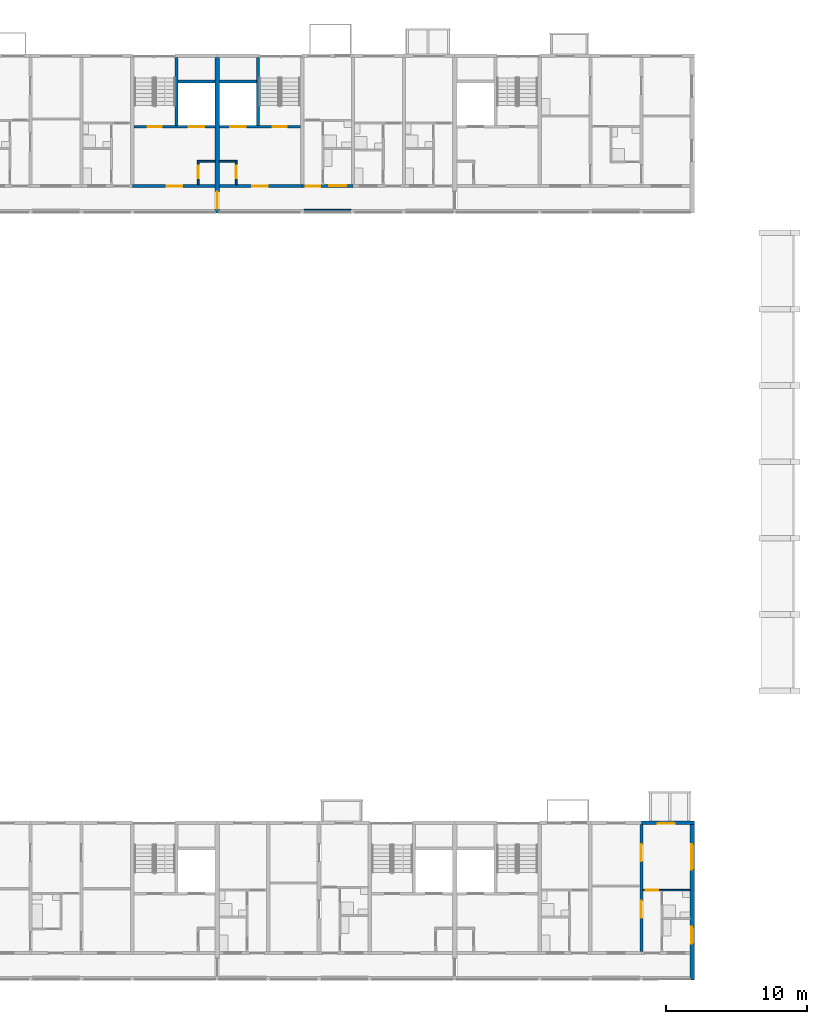
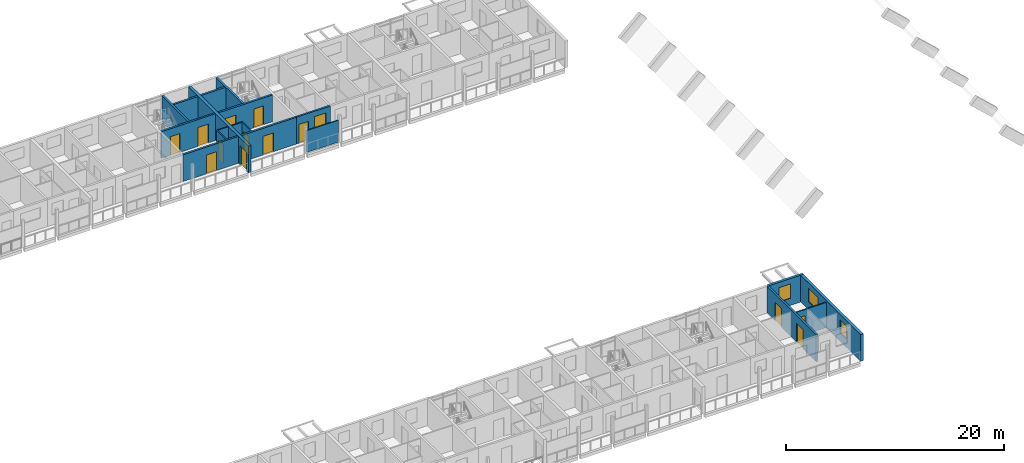
# One storey, part 41 of 98: 19 walls, 13 doors, 4 windows, 17 openings.
"""IFC4 building model written with IfcOpenShell, lengths in metres."""

import ifcopenshell
import ifcopenshell.guid

model = None  # the IFC model being written
_history = None  # IfcOwnerHistory: only IFC2X3 demands one
_inside = {}  # id of a spatial element -> (the spatial element, [elements in it])
_under = {}  # id of a project, library or spatial element -> (it, [spatial elements below it])
_declared = {}  # id of a project -> (the project, [libraries it declares])
_typed = {}  # id of a type object -> (the type object, [elements of that type])
_made_of = {}  # id of a material, layer set ... -> (it, [elements and type objects made of it])


def new_model(schema):
    """Start an empty IFC model of exactly this schema.

    Asked for "IFC4X3", IfcOpenShell would pick the latest addendum, in which some entities
    have other attributes; the version numbers below select the first issue.
    IFC2X3 requires an IfcOwnerHistory on every rooted entity: one is made here for all.
    """
    global model, _history
    if schema == "IFC4X3":
        model = ifcopenshell.file(schema_version=(4, 3, 0, 0))
    else:
        model = ifcopenshell.file(schema=schema)
    _inside.clear()
    _under.clear()
    _declared.clear()
    _typed.clear()
    _made_of.clear()
    _history = None
    if model.schema == "IFC2X3":
        org = make("IfcOrganization", Name="unknown")
        user = make(
            "IfcPersonAndOrganization",
            ThePerson=make("IfcPerson", FamilyName="unknown"),
            TheOrganization=org,
        )
        app = make(
            "IfcApplication",
            ApplicationDeveloper=org,
            Version="unknown",
            ApplicationFullName="unknown",
            ApplicationIdentifier="unknown",
        )
        _history = make(
            "IfcOwnerHistory",
            OwningUser=user,
            OwningApplication=app,
            ChangeAction="ADDED",
            CreationDate=0,
        )
    return model


def make(cls, **values):
    """One entity of the class cls with the attributes given. An attribute that is None is left unset."""
    return model.create_entity(
        cls, **{name: value for name, value in values.items() if value is not None}
    )


def rooted(cls, **values):
    """An entity with a GlobalId (a new one), such as an element, a storey or a relation."""
    return make(cls, GlobalId=ifcopenshell.guid.new(), OwnerHistory=_history, **values)


def si_unit(unit_type, name, prefix=None):
    """IfcSIUnit, for example si_unit("LENGTHUNIT", "METRE", prefix="MILLI")."""
    return make("IfcSIUnit", UnitType=unit_type, Prefix=prefix, Name=name)


def assignment(units):
    """IfcUnitAssignment: the units of a project."""
    return None if units is None else make("IfcUnitAssignment", Units=units)


def point(xyz):
    """IfcCartesianPoint."""
    return None if xyz is None else make("IfcCartesianPoint", Coordinates=xyz)


def direction(xyz):
    """IfcDirection."""
    return None if xyz is None else make("IfcDirection", DirectionRatios=xyz)


def frame(location, z_axis=None, x_axis=None):
    """IfcAxis2Placement3D, a coordinate frame: its origin and axes. An axis left out is left unset."""
    return make(
        "IfcAxis2Placement3D",
        Location=point(location),
        Axis=direction(z_axis),
        RefDirection=direction(x_axis),
    )


def frame_2d(location, x_axis=None):
    """IfcAxis2Placement2D, a coordinate frame in the plane: its origin and x axis."""
    return make(
        "IfcAxis2Placement2D", Location=point(location), RefDirection=direction(x_axis)
    )


def origin():
    """The frame at (0, 0, 0) with its axes left unset."""
    return frame((0.0, 0.0, 0.0))


def place(relative_to, where):
    """IfcLocalPlacement: puts the frame where relative to a parent placement (None: the world)."""
    return make(
        "IfcLocalPlacement", PlacementRelTo=relative_to, RelativePlacement=where
    )


def context(
    kind, dimensions, precision=None, world=None, true_north=None, identifier=None
):
    """IfcGeometricRepresentationContext, for example the 3D "Model" context."""
    return make(
        "IfcGeometricRepresentationContext",
        ContextIdentifier=identifier,
        ContextType=kind,
        CoordinateSpaceDimension=dimensions,
        Precision=precision,
        WorldCoordinateSystem=world,
        TrueNorth=true_north,
    )


def subcontext(parent, identifier, kind, view, scale=None):
    """IfcGeometricRepresentationSubContext, for example "Body" below "Model"."""
    return make(
        "IfcGeometricRepresentationSubContext",
        ContextIdentifier=identifier,
        ContextType=kind,
        ParentContext=parent,
        TargetScale=scale,
        TargetView=view,
    )


def project(units=None, contexts=None):
    """IfcProject with its units and contexts."""
    return rooted(
        "IfcProject",
        Name="project",
        RepresentationContexts=contexts,
        UnitsInContext=assignment(units),
    )


def spatial(cls, under=None, at=None, **own):
    """A site, building, storey or space (cls), placed at a placement, below another one or the project."""
    s = rooted(cls, ObjectPlacement=at, **own)
    if under is not None:
        _under.setdefault(under.id(), (under, []))[1].append(s)
    return s


def profile(cls, at=None, kind="AREA", **sizes):
    """A parametric profile (cls). Its sizes go by their IFC names, for example OverallWidth=200.0."""
    return make(cls, ProfileType=kind, Position=at, **sizes)


def rectangle(**sizes):
    """IfcRectangleProfileDef."""
    return profile("IfcRectangleProfileDef", **sizes)


def extrude(swept, where, along, depth):
    """IfcExtrudedAreaSolid: the profile swept, set in the frame where, extruded along a direction by depth."""
    return make(
        "IfcExtrudedAreaSolid",
        SweptArea=swept,
        Position=where,
        ExtrudedDirection=direction(along),
        Depth=depth,
    )


def shape(context_of_items, identifier, shape_type, items):
    """IfcShapeRepresentation: the items that make up one representation, for example the "Body"."""
    return make(
        "IfcShapeRepresentation",
        ContextOfItems=context_of_items,
        RepresentationIdentifier=identifier,
        RepresentationType=shape_type,
        Items=items,
    )


def material(Name=None, Category=None):
    """IfcMaterial."""
    return make("IfcMaterial", Name=Name, Category=Category)


def layer(
    of_material, thickness, ventilated=None, Name=None, Category=None, Priority=None
):
    """IfcMaterialLayer: one layer of a wall or slab, of a material (None: an air gap)."""
    return make(
        "IfcMaterialLayer",
        Material=of_material,
        LayerThickness=thickness,
        IsVentilated=ventilated,
        Name=Name,
        Category=Category,
        Priority=Priority,
    )


def layer_set(layers, Name=None):
    """IfcMaterialLayerSet."""
    return make("IfcMaterialLayerSet", MaterialLayers=layers, LayerSetName=Name)


def made_of(thing, what):
    """Note that an element or type object is made of a material, layer set ...; save() writes the relation."""
    if what is not None:
        _made_of.setdefault(what.id(), (what, []))[1].append(thing)
    return thing


def type_object(cls, material=None, **own):
    """A type object (cls), such as IfcWallType, which elements share."""
    return made_of(rooted(cls, **own), material)


def element(
    cls,
    number,
    at=None,
    inside=None,
    cuts=None,
    type_object=None,
    material=None,
    context=None,
    identifier="Body",
    shape_type=None,
    held_by="IfcProductDefinitionShape",
    body=None,
    shapes=None,
    **own,
):
    """One element of the class cls, such as IfcWall. Its Tag is "e" and its number.

    at: its placement. inside: the storey or other place that contains it. cuts: it is an
    opening in that element (IfcRelVoidsElement). A single representation is given by context,
    identifier, shape_type and body (its items); several are given by shapes. held_by: the class
    of the entity that holds the representations. save() writes the other relations.
    """
    e = rooted(cls, Tag="e%d" % number, ObjectPlacement=at, **own)
    if body is not None:
        shapes = [shape(context, identifier, shape_type, body)]
    if shapes is not None:
        e.Representation = make(held_by, Representations=shapes)
    if inside is not None:
        _inside.setdefault(inside.id(), (inside, []))[1].append(e)
    if cuts is not None:
        rooted(
            "IfcRelVoidsElement", RelatingBuildingElement=cuts, RelatedOpeningElement=e
        )
    if type_object is not None:
        _typed.setdefault(type_object.id(), (type_object, []))[1].append(e)
    return made_of(e, material)


def fill(opening, filler):
    """IfcRelFillsElement: the door or window that sits in an opening."""
    return rooted(
        "IfcRelFillsElement",
        RelatingOpeningElement=opening,
        RelatedBuildingElement=filler,
    )


def aggregate(whole, parts):
    """IfcRelAggregates: a whole, such as a stair, and the parts it consists of."""
    return rooted("IfcRelAggregates", RelatingObject=whole, RelatedObjects=parts)


def save(model, path):
    """Write the relations noted so far, then the file.

    IfcRelAggregates (storeys below a building ...), IfcRelContainedInSpatialStructure (elements
    in a storey), IfcRelDefinesByType, IfcRelAssociatesMaterial and IfcRelDeclares: one each for
    every whole, place, type object, material and project.
    """
    for whole, parts in _under.values():
        aggregate(whole, parts)
    for where, things in _inside.values():
        rooted(
            "IfcRelContainedInSpatialStructure",
            RelatedElements=things,
            RelatingStructure=where,
        )
    for kind, things in _typed.values():
        rooted("IfcRelDefinesByType", RelatedObjects=things, RelatingType=kind)
    for what, things in _made_of.values():
        rooted("IfcRelAssociatesMaterial", RelatedObjects=things, RelatingMaterial=what)
    for by, libraries in _declared.values():
        rooted("IfcRelDeclares", RelatingContext=by, RelatedDefinitions=libraries)
    model.write(path)


model = new_model("IFC4")

# Units and contexts
model_context = context("Model", 3, precision=1e-05, world=origin(), true_north=direction((0.0, 1.0)))
body_context = subcontext(model_context, "Body", "Model", "MODEL_VIEW")
ifc_project = project(units=[si_unit("LENGTHUNIT", "METRE"), si_unit("AREAUNIT", "SQUARE_METRE"), si_unit("VOLUMEUNIT", "CUBIC_METRE"), si_unit("PLANEANGLEUNIT", "RADIAN"), si_unit("MASSUNIT", "GRAM", prefix="KILO")], contexts=[model_context])

# Site, building, storey
site_placement = place(None, origin())
site = spatial("IfcSite", under=ifc_project, at=site_placement, CompositionType="ELEMENT")
building_placement = place(site_placement, origin())
building = spatial("IfcBuilding", under=site, at=building_placement, Name="Ridgestep Commons", CompositionType="ELEMENT")
storey_placement = place(building_placement, frame((0.0, 0.0, 12.0)))
storey = spatial("IfcBuildingStorey", under=building, at=storey_placement, Name="L04", CompositionType="ELEMENT", Elevation=12.0)

# Wall, opening, door
ifc_material_1 = material(Name="Concrete C30/37", Category="concrete")
ifc_layer_1 = layer(ifc_material_1, 0.199951171875)
ifc_layer_set_1 = layer_set([ifc_layer_1], Name="Core south wall 200")
wall_type_1 = type_object("IfcWallType", Name="Core south wall 200", PredefinedType="SHEAR", material=ifc_layer_set_1)
wall_1_placement = place(storey_placement, frame((73.199951171875, 67.89990234375, 0.0), z_axis=(0.0, 0.0, 1.0), x_axis=(1.0, 0.0, 0.0)))
wall_1 = element("IfcWall", 1, at=wall_1_placement, inside=storey, type_object=wall_type_1, Name="Core south wall B4C L04", PredefinedType="SHEAR", context=body_context, shape_type="SweptSolid", body=[
    extrude(rectangle(XDim=5.85009765625, YDim=0.199951171875, at=frame_2d((2.925048828125, 0.0))), origin(), (0.0, 0.0, 1.0), 3.0),
])
opening_1_placement = place(wall_1_placement, frame((2.4375, 0.0, 0.0)))
opening_1 = element("IfcOpeningElement", 2, at=opening_1_placement, cuts=wall_1, Name="Opening B4C/04/1", PredefinedType="OPENING", context=body_context, shape_type="SweptSolid", body=[
    extrude(rectangle(XDim=1.10009765625, YDim=2.10009765625, at=frame_2d((0.550048828125, 1.050048828125))), frame((0.0, 0.10986328125, 0.0), z_axis=(0.0, -1.0, 0.0), x_axis=(1.0, 0.0, 0.0)), (0.0, 0.0, 1.0), 0.219970703125),
])
ifc_material_2 = material(Name="Steel fire door", Category="steel")
door_type_1 = type_object("IfcDoorType", Name="Lobby door 1100 x 2100 FD60", OperationType="NOTDEFINED", PredefinedType="DOOR", material=ifc_material_2)
door_1_placement = place(opening_1_placement, origin())
door_1 = element("IfcDoor", 3, at=door_1_placement, inside=storey, type_object=door_type_1, Name="Lobby door B4C/04/1", OperationType="SINGLE_SWING_LEFT", OverallHeight=2.10009765625, OverallWidth=1.10009765625, PredefinedType="DOOR", context=body_context, shape_type="SweptSolid", body=[
    extrude(rectangle(XDim=1.10009765625, YDim=2.10009765625, at=frame_2d((0.550048828125, 1.050048828125))), frame((0.0, 0.02490234375, 0.0), z_axis=(0.0, -1.0, 0.0), x_axis=(1.0, 0.0, 0.0)), (0.0, 0.0, 1.0), 0.050048828125),
])
fill(opening_1, door_1)

wall_2_placement = place(storey_placement, frame((79.35009765625, 67.89990234375, 0.0), z_axis=(0.0, 0.0, 1.0), x_axis=(1.0, 0.0, 0.0)))
wall_2 = element("IfcWall", 4, at=wall_2_placement, inside=storey, type_object=wall_type_1, Name="Core south wall B5C L04", PredefinedType="SHEAR", context=body_context, shape_type="SweptSolid", body=[
    extrude(rectangle(XDim=5.849853515625, YDim=0.199951171875, at=frame_2d((2.9248046875, 0.0))), origin(), (0.0, 0.0, 1.0), 3.0),
])
opening_2_placement = place(wall_2_placement, frame((2.3125, 0.0, 0.0)))
opening_2 = element("IfcOpeningElement", 5, at=opening_2_placement, cuts=wall_2, Name="Opening B5C/04/1", PredefinedType="OPENING", context=body_context, shape_type="SweptSolid", body=[
    extrude(rectangle(XDim=1.10009765625, YDim=2.10009765625, at=frame_2d((0.550048828125, 1.050048828125))), frame((0.0, 0.10986328125, 0.0), z_axis=(0.0, -1.0, 0.0), x_axis=(1.0, 0.0, 0.0)), (0.0, 0.0, 1.0), 0.219970703125),
])
door_2_placement = place(opening_2_placement, origin())
door_2 = element("IfcDoor", 6, at=door_2_placement, inside=storey, type_object=door_type_1, Name="Lobby door B5C/04/1", OperationType="SINGLE_SWING_LEFT", OverallHeight=2.10009765625, OverallWidth=1.10009765625, PredefinedType="DOOR", context=body_context, shape_type="SweptSolid", body=[
    extrude(rectangle(XDim=1.10009765625, YDim=2.10009765625, at=frame_2d((0.550048828125, 1.050048828125))), frame((0.0, 0.02490234375, 0.0), z_axis=(0.0, -1.0, 0.0), x_axis=(1.0, 0.0, 0.0)), (0.0, 0.0, 1.0), 0.050048828125),
])
fill(opening_2, door_2)

ifc_material_3 = material(Name="Concrete C30/37", Category="concrete")
ifc_layer_2 = layer(ifc_material_3, 0.1201171875)
ifc_layer_set_2 = layer_set([ifc_layer_2], Name="Core wall 120")
wall_type_2 = type_object("IfcWallType", Name="Core wall 120", PredefinedType="SHEAR", material=ifc_layer_set_2)
wall_3_placement = place(storey_placement, frame((77.860107421875, 68.0, 0.0), z_axis=(0.0, 0.0, 1.0), x_axis=(0.0, 1.0, 0.0)))
wall_3 = element("IfcWall", 7, at=wall_3_placement, inside=storey, type_object=wall_type_2, Name="Core riser w wall B4C L04", PredefinedType="SHEAR", context=body_context, shape_type="SweptSolid", body=[
    extrude(rectangle(XDim=1.719970703125, YDim=0.1201171875, at=frame_2d((0.85986328125, 0.0))), origin(), (0.0, 0.0, 1.0), 3.0),
])
opening_3_placement = place(wall_3_placement, frame((0.449951171875, 0.0, 0.0)))
opening_3 = element("IfcOpeningElement", 8, at=opening_3_placement, cuts=wall_3, Name="Opening B4C/04/4", PredefinedType="OPENING", context=body_context, shape_type="SweptSolid", body=[
    extrude(rectangle(XDim=0.89990234375, YDim=2.10009765625, at=frame_2d((0.449951171875, 1.050048828125))), frame((0.0, 0.070068359375, 0.0), z_axis=(0.0, -1.0, 0.0), x_axis=(1.0, 0.0, 0.0)), (0.0, 0.0, 1.0), 0.14013671875),
])
ifc_material_4 = material(Name="Steel fire door", Category="steel")
door_type_2 = type_object("IfcDoorType", Name="Riser door 900 x 2100 FD60", OperationType="NOTDEFINED", PredefinedType="DOOR", material=ifc_material_4)
door_3_placement = place(opening_3_placement, origin())
door_3 = element("IfcDoor", 9, at=door_3_placement, inside=storey, type_object=door_type_2, Name="Riser door B4C/04/4", OperationType="SINGLE_SWING_LEFT", OverallHeight=2.10009765625, OverallWidth=0.89990234375, PredefinedType="DOOR", context=body_context, shape_type="SweptSolid", body=[
    extrude(rectangle(XDim=0.89990234375, YDim=2.10009765625, at=frame_2d((0.449951171875, 1.050048828125))), frame((0.0, 0.02490234375, 0.0), z_axis=(0.0, -1.0, 0.0), x_axis=(1.0, 0.0, 0.0)), (0.0, 0.0, 1.0), 0.050048828125),
])
fill(opening_3, door_3)

# Wall
wall_4_placement = place(storey_placement, frame((77.919921875, 69.659912109375, 0.0), z_axis=(0.0, 0.0, 1.0), x_axis=(1.0, 0.0, 0.0)))
element("IfcWall", 10, at=wall_4_placement, inside=storey, type_object=wall_type_2, Name="Core riser n wall B4C L04", PredefinedType="SHEAR", context=body_context, shape_type="SweptSolid", body=[
    extrude(rectangle(XDim=1.130126953125, YDim=0.1201171875, at=frame_2d((0.56494140625, 0.0))), origin(), (0.0, 0.0, 1.0), 3.0),
])

# Wall, opening, door
wall_5_placement = place(storey_placement, frame((80.5400390625, 68.0, 0.0), z_axis=(0.0, 0.0, 1.0), x_axis=(0.0, 1.0, 0.0)))
wall_5 = element("IfcWall", 11, at=wall_5_placement, inside=storey, type_object=wall_type_2, Name="Core riser w wall B5C L04", PredefinedType="SHEAR", context=body_context, shape_type="SweptSolid", body=[
    extrude(rectangle(XDim=1.719970703125, YDim=0.1201171875, at=frame_2d((0.85986328125, 0.0))), origin(), (0.0, 0.0, 1.0), 3.0),
])
opening_4_placement = place(wall_5_placement, frame((0.449951171875, 0.0, 0.0)))
opening_4 = element("IfcOpeningElement", 12, at=opening_4_placement, cuts=wall_5, Name="Opening B5C/04/4", PredefinedType="OPENING", context=body_context, shape_type="SweptSolid", body=[
    extrude(rectangle(XDim=0.89990234375, YDim=2.10009765625, at=frame_2d((0.449951171875, 1.050048828125))), frame((0.0, 0.070068359375, 0.0), z_axis=(0.0, -1.0, 0.0), x_axis=(1.0, 0.0, 0.0)), (0.0, 0.0, 1.0), 0.14013671875),
])
door_4_placement = place(opening_4_placement, origin())
door_4 = element("IfcDoor", 13, at=door_4_placement, inside=storey, type_object=door_type_2, Name="Riser door B5C/04/4", OperationType="SINGLE_SWING_RIGHT", OverallHeight=2.10009765625, OverallWidth=0.89990234375, PredefinedType="DOOR", context=body_context, shape_type="SweptSolid", body=[
    extrude(rectangle(XDim=0.89990234375, YDim=2.10009765625, at=frame_2d((0.449951171875, 1.050048828125))), frame((0.0, 0.02490234375, 0.0), z_axis=(0.0, -1.0, 0.0), x_axis=(1.0, 0.0, 0.0)), (0.0, 0.0, 1.0), 0.050048828125),
])
fill(opening_4, door_4)

# Wall
wall_6_placement = place(storey_placement, frame((79.35009765625, 69.659912109375, 0.0), z_axis=(0.0, 0.0, 1.0), x_axis=(1.0, 0.0, 0.0)))
element("IfcWall", 14, at=wall_6_placement, inside=storey, type_object=wall_type_2, Name="Core riser n wall B5C L04", PredefinedType="SHEAR", context=body_context, shape_type="SweptSolid", body=[
    extrude(rectangle(XDim=1.1298828125, YDim=0.1201171875, at=frame_2d((0.56494140625, 0.0))), origin(), (0.0, 0.0, 1.0), 3.0),
])

# Wall, openings, doors
ifc_material_5 = material(Name="Concrete C30/37", Category="concrete")
ifc_layer_3 = layer(ifc_material_5, 0.199951171875)
ifc_layer_set_3 = layer_set([ifc_layer_3], Name="Core wall 200")
wall_type_3 = type_object("IfcWallType", Name="Core wall 200", PredefinedType="SHEAR", material=ifc_layer_set_3)
wall_7_placement = place(storey_placement, frame((73.324951171875, 72.10009765625, 0.0), z_axis=(0.0, 0.0, 1.0), x_axis=(1.0, 0.0, 0.0)))
wall_7 = element("IfcWall", 15, at=wall_7_placement, inside=storey, type_object=wall_type_3, Name="Core lobby wall B4C L04", PredefinedType="SHEAR", context=body_context, shape_type="SweptSolid", body=[
    extrude(rectangle(XDim=5.72509765625, YDim=0.199951171875, at=frame_2d((2.862548828125, 0.0))), origin(), (0.0, 0.0, 1.0), 3.0),
])
opening_5_placement = place(wall_7_placement, frame((0.949951171875, 0.0, 0.0)))
opening_5 = element("IfcOpeningElement", 16, at=opening_5_placement, cuts=wall_7, Name="Opening B4C/04/2", PredefinedType="OPENING", context=body_context, shape_type="SweptSolid", body=[
    extrude(rectangle(XDim=1.0, YDim=2.10009765625, at=frame_2d((0.5, 1.050048828125))), frame((0.0, 0.10986328125, 0.0), z_axis=(0.0, -1.0, 0.0), x_axis=(1.0, 0.0, 0.0)), (0.0, 0.0, 1.0), 0.219970703125),
])
opening_6_placement = place(wall_7_placement, frame((3.862548828125, 0.0, 0.0)))
opening_6 = element("IfcOpeningElement", 17, at=opening_6_placement, cuts=wall_7, Name="Opening B4C/04/3", PredefinedType="OPENING", context=body_context, shape_type="SweptSolid", body=[
    extrude(rectangle(XDim=1.10009765625, YDim=2.10009765625, at=frame_2d((0.550048828125, 1.050048828125))), frame((0.0, 0.10986328125, 0.0), z_axis=(0.0, -1.0, 0.0), x_axis=(1.0, 0.0, 0.0)), (0.0, 0.0, 1.0), 0.219970703125),
])
ifc_material_6 = material(Name="Stainless steel", Category="steel")
door_type_3 = type_object("IfcDoorType", Name="Lift landing door 1100 x 2100 FD60", OperationType="DOUBLE_DOOR_SLIDING", PredefinedType="DOOR", material=ifc_material_6)
door_5_placement = place(opening_6_placement, origin())
door_5 = element("IfcDoor", 18, at=door_5_placement, inside=storey, type_object=door_type_3, Name="Landing door LD B4C L04", OperationType="DOUBLE_DOOR_SLIDING", OverallHeight=2.10009765625, OverallWidth=1.10009765625, PredefinedType="DOOR", context=body_context, shape_type="SweptSolid", body=[
    extrude(rectangle(XDim=1.10009765625, YDim=2.10009765625, at=frame_2d((0.550048828125, 1.050048828125))), frame((0.0, 0.02490234375, 0.0), z_axis=(0.0, -1.0, 0.0), x_axis=(1.0, 0.0, 0.0)), (0.0, 0.0, 1.0), 0.050048828125),
])
fill(opening_6, door_5)
ifc_material_7 = material(Name="Steel fire door", Category="steel")
door_type_4 = type_object("IfcDoorType", Name="Stair door 1000 x 2100 FD60", OperationType="NOTDEFINED", PredefinedType="DOOR", material=ifc_material_7)
door_6_placement = place(opening_5_placement, origin())
door_6 = element("IfcDoor", 19, at=door_6_placement, inside=storey, type_object=door_type_4, Name="Stair door B4C/04/2", OperationType="SINGLE_SWING_RIGHT", OverallHeight=2.10009765625, OverallWidth=1.0, PredefinedType="DOOR", context=body_context, shape_type="SweptSolid", body=[
    extrude(rectangle(XDim=1.0, YDim=2.10009765625, at=frame_2d((0.5, 1.050048828125))), frame((0.0, 0.02490234375, 0.0), z_axis=(0.0, -1.0, 0.0), x_axis=(1.0, 0.0, 0.0)), (0.0, 0.0, 1.0), 0.050048828125),
])
fill(opening_5, door_6)

# Walls
wall_8_placement = place(storey_placement, frame((76.324951171875, 72.199951171875, 0.0), z_axis=(0.0, 0.0, 1.0), x_axis=(0.0, 1.0, 0.0)))
element("IfcWall", 20, at=wall_8_placement, inside=storey, type_object=wall_type_3, Name="Core stair wall B4C L04", PredefinedType="SHEAR", context=body_context, shape_type="SweptSolid", body=[
    extrude(rectangle(XDim=4.800048828125, YDim=0.199951171875, at=frame_2d((2.39990234375, 0.0))), origin(), (0.0, 0.0, 1.0), 3.0),
])
wall_9_placement = place(storey_placement, frame((76.425048828125, 75.300048828125, 0.0), z_axis=(0.0, 0.0, 1.0), x_axis=(1.0, 0.0, 0.0)))
element("IfcWall", 21, at=wall_9_placement, inside=storey, type_object=wall_type_3, Name="Core duct wall B4C L04", PredefinedType="SHEAR", context=body_context, shape_type="SweptSolid", body=[
    extrude(rectangle(XDim=2.625, YDim=0.199951171875, at=frame_2d((1.3125, 0.0))), origin(), (0.0, 0.0, 1.0), 3.0),
])

# Wall, openings, doors
wall_10_placement = place(storey_placement, frame((79.35009765625, 72.10009765625, 0.0), z_axis=(0.0, 0.0, 1.0), x_axis=(1.0, 0.0, 0.0)))
wall_10 = element("IfcWall", 22, at=wall_10_placement, inside=storey, type_object=wall_type_3, Name="Core lobby wall B5C L04", PredefinedType="SHEAR", context=body_context, shape_type="SweptSolid", body=[
    extrude(rectangle(XDim=5.724853515625, YDim=0.199951171875, at=frame_2d((2.8623046875, 0.0))), origin(), (0.0, 0.0, 1.0), 3.0),
])
opening_7_placement = place(wall_10_placement, frame((3.77490234375, 0.0, 0.0)))
opening_7 = element("IfcOpeningElement", 23, at=opening_7_placement, cuts=wall_10, Name="Opening B5C/04/2", PredefinedType="OPENING", context=body_context, shape_type="SweptSolid", body=[
    extrude(rectangle(XDim=1.0, YDim=2.10009765625, at=frame_2d((0.5, 1.050048828125))), frame((0.0, 0.10986328125, 0.0), z_axis=(0.0, -1.0, 0.0), x_axis=(1.0, 0.0, 0.0)), (0.0, 0.0, 1.0), 0.219970703125),
])
opening_8_placement = place(wall_10_placement, frame((0.762451171875, 0.0, 0.0)))
opening_8 = element("IfcOpeningElement", 24, at=opening_8_placement, cuts=wall_10, Name="Opening B5C/04/3", PredefinedType="OPENING", context=body_context, shape_type="SweptSolid", body=[
    extrude(rectangle(XDim=1.10009765625, YDim=2.10009765625, at=frame_2d((0.550048828125, 1.050048828125))), frame((0.0, 0.10986328125, 0.0), z_axis=(0.0, -1.0, 0.0), x_axis=(1.0, 0.0, 0.0)), (0.0, 0.0, 1.0), 0.219970703125),
])
door_7_placement = place(opening_8_placement, origin())
door_7 = element("IfcDoor", 25, at=door_7_placement, inside=storey, type_object=door_type_3, Name="Landing door LD B5C L04", OperationType="DOUBLE_DOOR_SLIDING", OverallHeight=2.10009765625, OverallWidth=1.10009765625, PredefinedType="DOOR", context=body_context, shape_type="SweptSolid", body=[
    extrude(rectangle(XDim=1.10009765625, YDim=2.10009765625, at=frame_2d((0.550048828125, 1.050048828125))), frame((0.0, 0.02490234375, 0.0), z_axis=(0.0, -1.0, 0.0), x_axis=(1.0, 0.0, 0.0)), (0.0, 0.0, 1.0), 0.050048828125),
])
fill(opening_8, door_7)
door_8_placement = place(opening_7_placement, origin())
door_8 = element("IfcDoor", 26, at=door_8_placement, inside=storey, type_object=door_type_4, Name="Stair door B5C/04/2", OperationType="SINGLE_SWING_RIGHT", OverallHeight=2.10009765625, OverallWidth=1.0, PredefinedType="DOOR", context=body_context, shape_type="SweptSolid", body=[
    extrude(rectangle(XDim=1.0, YDim=2.10009765625, at=frame_2d((0.5, 1.050048828125))), frame((0.0, 0.02490234375, 0.0), z_axis=(0.0, -1.0, 0.0), x_axis=(1.0, 0.0, 0.0)), (0.0, 0.0, 1.0), 0.050048828125),
])
fill(opening_7, door_8)

# Walls
wall_11_placement = place(storey_placement, frame((82.074951171875, 72.199951171875, 0.0), z_axis=(0.0, 0.0, 1.0), x_axis=(0.0, 1.0, 0.0)))
element("IfcWall", 27, at=wall_11_placement, inside=storey, type_object=wall_type_3, Name="Core stair wall B5C L04", PredefinedType="SHEAR", context=body_context, shape_type="SweptSolid", body=[
    extrude(rectangle(XDim=4.800048828125, YDim=0.199951171875, at=frame_2d((2.39990234375, 0.0))), origin(), (0.0, 0.0, 1.0), 3.0),
])
wall_12_placement = place(storey_placement, frame((79.35009765625, 75.300048828125, 0.0), z_axis=(0.0, 0.0, 1.0), x_axis=(1.0, 0.0, 0.0)))
element("IfcWall", 28, at=wall_12_placement, inside=storey, type_object=wall_type_3, Name="Core duct wall B5C L04", PredefinedType="SHEAR", context=body_context, shape_type="SweptSolid", body=[
    extrude(rectangle(XDim=2.625, YDim=0.199951171875, at=frame_2d((1.3125, 0.0))), origin(), (0.0, 0.0, 1.0), 3.0),
])

# Wall, openings, doors
ifc_material_8 = material(Name="Precast concrete C40/50", Category="concrete")
ifc_layer_4 = layer(ifc_material_8, 0.199951171875)
ifc_layer_set_4 = layer_set([ifc_layer_4], Name="Cross wall 200")
wall_type_4 = type_object("IfcWallType", Name="Cross wall 200", PredefinedType="SHEAR", material=ifc_layer_set_4)
wall_13_placement = place(storey_placement, frame((109.199951171875, 13.75, 0.0), z_axis=(0.0, 0.0, 1.0), x_axis=(0.0, 1.0, 0.0)))
wall_13 = element("IfcWall", 29, at=wall_13_placement, inside=storey, type_object=wall_type_4, Name="Cross wall A-04-1092", PredefinedType="SHEAR", context=body_context, shape_type="SweptSolid", body=[
    extrude(rectangle(XDim=9.0, YDim=0.199951171875, at=frame_2d((4.5, 0.0))), origin(), (0.0, 0.0, 1.0), 3.0),
])
opening_9_placement = place(wall_13_placement, frame((2.39990234375, 0.0, 0.0)))
opening_9 = element("IfcOpeningElement", 30, at=opening_9_placement, cuts=wall_13, Name="Opening A6-04a/5", PredefinedType="OPENING", context=body_context, shape_type="SweptSolid", body=[
    extrude(rectangle(XDim=1.199951171875, YDim=2.10009765625, at=frame_2d((0.60009765625, 1.050048828125))), frame((0.0, 0.10986328125, 0.0), z_axis=(0.0, -1.0, 0.0), x_axis=(1.0, 0.0, 0.0)), (0.0, 0.0, 1.0), 0.219970703125),
])
opening_10_placement = place(wall_13_placement, frame((6.39990234375, 0.0, 0.0)))
opening_10 = element("IfcOpeningElement", 31, at=opening_10_placement, cuts=wall_13, Name="Opening A6-04a/6", PredefinedType="OPENING", context=body_context, shape_type="SweptSolid", body=[
    extrude(rectangle(XDim=1.199951171875, YDim=2.10009765625, at=frame_2d((0.60009765625, 1.050048828125))), frame((0.0, 0.10986328125, 0.0), z_axis=(0.0, -1.0, 0.0), x_axis=(1.0, 0.0, 0.0)), (0.0, 0.0, 1.0), 0.219970703125),
])
ifc_material_9 = material(Name="Timber door leaf", Category="wood")
door_type_5 = type_object("IfcDoorType", Name="Double door 1200 x 2100", OperationType="DOUBLE_DOOR_SINGLE_SWING", PredefinedType="DOOR", material=ifc_material_9)
door_9_placement = place(opening_9_placement, origin())
door_9 = element("IfcDoor", 32, at=door_9_placement, inside=storey, type_object=door_type_5, Name="Double door A6-04a/5", OperationType="DOUBLE_DOOR_SINGLE_SWING", OverallHeight=2.10009765625, OverallWidth=1.199951171875, PredefinedType="DOOR", context=body_context, shape_type="SweptSolid", body=[
    extrude(rectangle(XDim=1.199951171875, YDim=2.10009765625, at=frame_2d((0.60009765625, 1.050048828125))), frame((0.0, 0.02490234375, 0.0), z_axis=(0.0, -1.0, 0.0), x_axis=(1.0, 0.0, 0.0)), (0.0, 0.0, 1.0), 0.050048828125),
])
fill(opening_9, door_9)
door_10_placement = place(opening_10_placement, origin())
door_10 = element("IfcDoor", 33, at=door_10_placement, inside=storey, type_object=door_type_5, Name="Double door A6-04a/6", OperationType="DOUBLE_DOOR_SINGLE_SWING", OverallHeight=2.10009765625, OverallWidth=1.199951171875, PredefinedType="DOOR", context=body_context, shape_type="SweptSolid", body=[
    extrude(rectangle(XDim=1.199951171875, YDim=2.10009765625, at=frame_2d((0.60009765625, 1.050048828125))), frame((0.0, 0.02490234375, 0.0), z_axis=(0.0, -1.0, 0.0), x_axis=(1.0, 0.0, 0.0)), (0.0, 0.0, 1.0), 0.050048828125),
])
fill(opening_10, door_10)

# Wall, opening, door
ifc_material_10 = material(Name="Precast concrete C40/50", Category="concrete")
ifc_layer_5 = layer(ifc_material_10, 0.300048828125)
ifc_layer_set_5 = layer_set([ifc_layer_5], Name="Division wall 300")
wall_type_5 = type_object("IfcWallType", Name="Division wall 300", PredefinedType="SHEAR", material=ifc_layer_set_5)
wall_14_placement = place(storey_placement, frame((79.199951171875, 66.0, 0.0), z_axis=(0.0, 0.0, 1.0), x_axis=(0.0, 1.0, 0.0)))
wall_14 = element("IfcWall", 34, at=wall_14_placement, inside=storey, type_object=wall_type_5, Name="Cross wall B-04-0792", PredefinedType="SHEAR", context=body_context, shape_type="SweptSolid", body=[
    extrude(rectangle(XDim=11.0, YDim=0.300048828125, at=frame_2d((5.5, 0.0))), origin(), (0.0, 0.0, 1.0), 3.0),
])
opening_11_placement = place(wall_14_placement, frame((0.300048828125, 0.0, 0.0)))
opening_11 = element("IfcOpeningElement", 35, at=opening_11_placement, cuts=wall_14, Name="Opening B/04/G0792", PredefinedType="OPENING", context=body_context, shape_type="SweptSolid", body=[
    extrude(rectangle(XDim=1.199951171875, YDim=2.10009765625, at=frame_2d((0.60009765625, 1.050048828125))), frame((0.0, 0.159912109375, 0.0), z_axis=(0.0, -1.0, 0.0), x_axis=(1.0, 0.0, 0.0)), (0.0, 0.0, 1.0), 0.320068359375),
])
ifc_material_11 = material(Name="Steel fire door", Category="steel")
door_type_6 = type_object("IfcDoorType", Name="Division fire door 1200 x 2100 EI 240", OperationType="DOUBLE_DOOR_SINGLE_SWING", PredefinedType="DOOR", material=ifc_material_11)
door_11_placement = place(opening_11_placement, origin())
door_11 = element("IfcDoor", 36, at=door_11_placement, inside=storey, type_object=door_type_6, Name="Division fire door B/04/G0792", OperationType="DOUBLE_DOOR_SINGLE_SWING", OverallHeight=2.10009765625, OverallWidth=1.199951171875, PredefinedType="DOOR", context=body_context, shape_type="SweptSolid", body=[
    extrude(rectangle(XDim=1.199951171875, YDim=2.10009765625, at=frame_2d((0.60009765625, 1.050048828125))), frame((0.0, 0.02490234375, 0.0), z_axis=(0.0, -1.0, 0.0), x_axis=(1.0, 0.0, 0.0)), (0.0, 0.0, 1.0), 0.050048828125),
])
fill(opening_11, door_11)

# Wall, openings, windows
ifc_material_12 = material(Name="Precast concrete C40/50", Category="concrete")
ifc_layer_6 = layer(ifc_material_12, 0.300048828125)
ifc_layer_set_6 = layer_set([ifc_layer_6], Name="Exposed division wall 300")
wall_type_6 = type_object("IfcWallType", Name="Exposed division wall 300", PredefinedType="SHEAR", material=ifc_layer_set_6)
wall_15_placement = place(storey_placement, frame((112.800048828125, 11.75, 0.0), z_axis=(0.0, 0.0, 1.0), x_axis=(0.0, 1.0, 0.0)))
wall_15 = element("IfcWall", 37, at=wall_15_placement, inside=storey, type_object=wall_type_6, Name="Cross wall A-04-1128", PredefinedType="SHEAR", context=body_context, shape_type="SweptSolid", body=[
    extrude(rectangle(XDim=11.0, YDim=0.300048828125, at=frame_2d((5.5, 0.0))), origin(), (0.0, 0.0, 1.0), 3.0),
])
opening_12_placement = place(wall_15_placement, frame((2.550048828125, 0.0, 0.89990234375)))
opening_12 = element("IfcOpeningElement", 38, at=opening_12_placement, cuts=wall_15, Name="Opening W10", PredefinedType="OPENING", context=body_context, shape_type="SweptSolid", body=[
    extrude(rectangle(XDim=1.199951171875, YDim=1.5, at=frame_2d((0.60009765625, 0.75))), frame((0.0, 0.159912109375, 0.0), z_axis=(0.0, -1.0, 0.0), x_axis=(1.0, 0.0, 0.0)), (0.0, 0.0, 1.0), 0.320068359375),
])
opening_13_placement = place(wall_15_placement, frame((7.804931640625, 0.0, 0.89990234375)))
opening_13 = element("IfcOpeningElement", 39, at=opening_13_placement, cuts=wall_15, Name="Opening W20", PredefinedType="OPENING", context=body_context, shape_type="SweptSolid", body=[
    extrude(rectangle(XDim=1.800048828125, YDim=1.5, at=frame_2d((0.89990234375, 0.75))), frame((0.0, 0.159912109375, 0.0), z_axis=(0.0, -1.0, 0.0), x_axis=(1.0, 0.0, 0.0)), (0.0, 0.0, 1.0), 0.320068359375),
])
ifc_material_13 = material(Name="Aluminium 6063-T6 and glass", Category="aluminium")
window_type_1 = type_object("IfcWindowType", Name="Flat window 1200 x 1500", PartitioningType="SINGLE_PANEL", PredefinedType="WINDOW", material=ifc_material_13)
window_1_placement = place(opening_12_placement, origin())
window_1 = element("IfcWindow", 40, at=window_1_placement, inside=storey, type_object=window_type_1, Name="Window A6-04a 5", OverallHeight=1.5, OverallWidth=1.199951171875, PartitioningType="SINGLE_PANEL", PredefinedType="WINDOW", context=body_context, shape_type="SweptSolid", body=[
    extrude(rectangle(XDim=1.199951171875, YDim=1.5, at=frame_2d((0.60009765625, 0.75))), frame((0.0, 0.06005859375, 0.0), z_axis=(0.0, -1.0, 0.0), x_axis=(1.0, 0.0, 0.0)), (0.0, 0.0, 1.0), 0.06005859375),
])
fill(opening_12, window_1)
ifc_material_14 = material(Name="Aluminium 6063-T6 and glass", Category="aluminium")
window_type_2 = type_object("IfcWindowType", Name="Flat window 1800 x 1500", PartitioningType="DOUBLE_PANEL_VERTICAL", PredefinedType="WINDOW", material=ifc_material_14)
window_2_placement = place(opening_13_placement, origin())
window_2 = element("IfcWindow", 41, at=window_2_placement, inside=storey, type_object=window_type_2, Name="Window A6-04a 6", OverallHeight=1.5, OverallWidth=1.800048828125, PartitioningType="SINGLE_PANEL", PredefinedType="WINDOW", context=body_context, shape_type="SweptSolid", body=[
    extrude(rectangle(XDim=1.800048828125, YDim=1.5, at=frame_2d((0.89990234375, 0.75))), frame((0.0, 0.06005859375, 0.0), z_axis=(0.0, -1.0, 0.0), x_axis=(1.0, 0.0, 0.0)), (0.0, 0.0, 1.0), 0.06005859375),
])
fill(opening_13, window_2)

# Wall, opening, window
ifc_material_15 = material(Name="Precast concrete C40/50", Category="concrete")
ifc_layer_7 = layer(ifc_material_15, 0.25)
ifc_layer_set_7 = layer_set([ifc_layer_7], Name="North facade panel 250")
wall_type_7 = type_object("IfcWallType", Name="North facade panel 250", PredefinedType="SOLIDWALL", material=ifc_layer_set_7)
wall_16_placement = place(storey_placement, frame((109.199951171875, 22.875, 0.0), z_axis=(0.0, 0.0, 1.0), x_axis=(1.0, 0.0, 0.0)))
wall_16 = element("IfcWall", 42, at=wall_16_placement, inside=storey, type_object=wall_type_7, Name="North panel A6T1 L04", PredefinedType="SOLIDWALL", context=body_context, shape_type="SweptSolid", body=[
    extrude(rectangle(XDim=3.75, YDim=0.25, at=frame_2d((1.875, 0.0))), origin(), (0.0, 0.0, 1.0), 3.0),
])
opening_14_placement = place(wall_16_placement, frame((1.175048828125, 0.0, 0.800048828125)))
opening_14 = element("IfcOpeningElement", 43, at=opening_14_placement, cuts=wall_16, Name="Opening W11", PredefinedType="OPENING", context=body_context, shape_type="SweptSolid", body=[
    extrude(rectangle(XDim=1.199951171875, YDim=1.60009765625, at=frame_2d((0.60009765625, 0.800048828125))), frame((0.0, 0.135009765625, 0.0), z_axis=(0.0, -1.0, 0.0), x_axis=(1.0, 0.0, 0.0)), (0.0, 0.0, 1.0), 0.27001953125),
])
ifc_material_16 = material(Name="Aluminium 6063-T6 and glass", Category="aluminium")
window_type_3 = type_object("IfcWindowType", Name="Flat window 1200 x 1600", PartitioningType="SINGLE_PANEL", PredefinedType="WINDOW", material=ifc_material_16)
window_3_placement = place(opening_14_placement, origin())
window_3 = element("IfcWindow", 44, at=window_3_placement, inside=storey, type_object=window_type_3, Name="Window A6-04a 4", OverallHeight=1.60009765625, OverallWidth=1.199951171875, PartitioningType="SINGLE_PANEL", PredefinedType="WINDOW", context=body_context, shape_type="SweptSolid", body=[
    extrude(rectangle(XDim=1.199951171875, YDim=1.60009765625, at=frame_2d((0.60009765625, 0.800048828125))), frame((0.0, -0.02490234375, 0.0), z_axis=(0.0, -1.0, 0.0), x_axis=(1.0, 0.0, 0.0)), (0.0, 0.0, 1.0), 0.06005859375),
])
fill(opening_14, window_3)

# Wall, opening, door
ifc_material_17 = material(Name="Common brick 110 mm", Category="masonry")
ifc_layer_8 = layer(ifc_material_17, 0.110107421875)
ifc_layer_set_8 = layer_set([ifc_layer_8], Name="Partition 110")
wall_type_8 = type_object("IfcWallType", Name="Partition 110", PredefinedType="PARTITIONING", material=ifc_layer_set_8)
wall_17_placement = place(storey_placement, frame((109.300048828125, 18.10498046875, 0.0), z_axis=(0.0, 0.0, 1.0), x_axis=(1.0, 0.0, 0.0)))
wall_17 = element("IfcWall", 45, at=wall_17_placement, inside=storey, type_object=wall_type_8, Name="Partition A6-04a", PredefinedType="PARTITIONING", context=body_context, shape_type="SweptSolid", body=[
    extrude(rectangle(XDim=3.349853515625, YDim=0.110107421875, at=frame_2d((1.6748046875, 0.0))), origin(), (0.0, 0.0, 1.0), 2.800048828125),
])
opening_15_placement = place(wall_17_placement, frame((0.199951171875, 0.0, 0.0)))
opening_15 = element("IfcOpeningElement", 46, at=opening_15_placement, cuts=wall_17, Name="Opening A6-04a/4", PredefinedType="OPENING", context=body_context, shape_type="SweptSolid", body=[
    extrude(rectangle(XDim=0.89990234375, YDim=2.10009765625, at=frame_2d((0.449951171875, 1.050048828125))), frame((0.0, 0.06494140625, 0.0), z_axis=(0.0, -1.0, 0.0), x_axis=(1.0, 0.0, 0.0)), (0.0, 0.0, 1.0), 0.130126953125),
])
ifc_material_18 = material(Name="Timber door leaf", Category="wood")
door_type_7 = type_object("IfcDoorType", Name="Internal door 900 x 2100", OperationType="NOTDEFINED", PredefinedType="DOOR", material=ifc_material_18)
door_12_placement = place(opening_15_placement, origin())
door_12 = element("IfcDoor", 47, at=door_12_placement, inside=storey, type_object=door_type_7, Name="Internal door A6-04a/4", OperationType="SINGLE_SWING_LEFT", OverallHeight=2.10009765625, OverallWidth=0.89990234375, PredefinedType="DOOR", context=body_context, shape_type="SweptSolid", body=[
    extrude(rectangle(XDim=0.89990234375, YDim=2.10009765625, at=frame_2d((0.449951171875, 1.050048828125))), frame((0.0, 0.02490234375, 0.0), z_axis=(0.0, -1.0, 0.0), x_axis=(1.0, 0.0, 0.0)), (0.0, 0.0, 1.0), 0.050048828125),
])
fill(opening_15, door_12)

# Wall
ifc_material_19 = material(Name="Precast concrete C30/37", Category="concrete")
ifc_layer_9 = layer(ifc_material_19, 0.10009765625)
ifc_layer_set_9 = layer_set([ifc_layer_9], Name="Perforated gallery screen 3350 x 2450 x 100")
wall_type_9 = type_object("IfcWallType", Name="Perforated gallery screen 3350 x 2450 x 100", PredefinedType="SOLIDWALL", material=ifc_layer_set_9)
wall_18_placement = place(storey_placement, frame((85.324951171875, 66.199951171875, 0.0), z_axis=(0.0, 0.0, 1.0), x_axis=(1.0, 0.0, 0.0)))
element("IfcWall", 48, at=wall_18_placement, inside=storey, type_object=wall_type_9, Name="Gallery screen B5T3 04", PredefinedType="SOLIDWALL", context=body_context, shape_type="SweptSolid", body=[
    extrude(rectangle(XDim=3.35009765625, YDim=0.10009765625, at=frame_2d((1.675048828125, 0.0))), origin(), (0.0, 0.0, 1.0), 2.449951171875),
])

# Wall, openings, door, window
ifc_material_20 = material(Name="Precast concrete C40/50", Category="concrete")
ifc_layer_10 = layer(ifc_material_20, 0.199951171875)
ifc_layer_set_10 = layer_set([ifc_layer_10], Name="South facade panel 200")
wall_type_10 = type_object("IfcWallType", Name="South facade panel 200", PredefinedType="SOLIDWALL", material=ifc_layer_set_10)
wall_19_placement = place(storey_placement, frame((85.199951171875, 67.89990234375, 0.0), z_axis=(0.0, 0.0, 1.0), x_axis=(1.0, 0.0, 0.0)))
wall_19 = element("IfcWall", 49, at=wall_19_placement, inside=storey, type_object=wall_type_10, Name="South panel B5T3 L04", PredefinedType="SOLIDWALL", context=body_context, shape_type="SweptSolid", body=[
    extrude(rectangle(XDim=3.60009765625, YDim=0.199951171875, at=frame_2d((1.800048828125, 0.0))), origin(), (0.0, 0.0, 1.0), 3.0),
])
opening_16_placement = place(wall_19_placement, frame((1.91748046875, 0.0, 1.10009765625)))
opening_16 = element("IfcOpeningElement", 50, at=opening_16_placement, cuts=wall_19, Name="Opening W08", PredefinedType="OPENING", context=body_context, shape_type="SweptSolid", body=[
    extrude(rectangle(XDim=1.199951171875, YDim=1.300048828125, at=frame_2d((0.60009765625, 0.64990234375))), frame((0.0, 0.10986328125, 0.0), z_axis=(0.0, -1.0, 0.0), x_axis=(1.0, 0.0, 0.0)), (0.0, 0.0, 1.0), 0.219970703125),
])
opening_17_placement = place(wall_19_placement, frame((0.27490234375, 0.0, 0.0)))
opening_17 = element("IfcOpeningElement", 51, at=opening_17_placement, cuts=wall_19, Name="Opening B5-04c/1", PredefinedType="OPENING", context=body_context, shape_type="SweptSolid", body=[
    extrude(rectangle(XDim=1.0, YDim=2.10009765625, at=frame_2d((0.5, 1.050048828125))), frame((0.0, 0.10986328125, 0.0), z_axis=(0.0, -1.0, 0.0), x_axis=(1.0, 0.0, 0.0)), (0.0, 0.0, 1.0), 0.219970703125),
])
ifc_material_21 = material(Name="Timber door leaf", Category="wood")
door_type_8 = type_object("IfcDoorType", Name="Flat entrance door 1000 x 2100 FD30S", OperationType="NOTDEFINED", PredefinedType="DOOR", material=ifc_material_21)
door_13_placement = place(opening_17_placement, origin())
door_13 = element("IfcDoor", 52, at=door_13_placement, inside=storey, type_object=door_type_8, Name="Flat entrance door B5-04c/1", OperationType="SINGLE_SWING_LEFT", OverallHeight=2.10009765625, OverallWidth=1.0, PredefinedType="DOOR", context=body_context, shape_type="SweptSolid", body=[
    extrude(rectangle(XDim=1.0, YDim=2.10009765625, at=frame_2d((0.5, 1.050048828125))), frame((0.0, 0.02490234375, 0.0), z_axis=(0.0, -1.0, 0.0), x_axis=(1.0, 0.0, 0.0)), (0.0, 0.0, 1.0), 0.050048828125),
])
fill(opening_17, door_13)
ifc_material_22 = material(Name="Aluminium 6063-T6 and glass", Category="aluminium")
window_type_4 = type_object("IfcWindowType", Name="Flat window 1200 x 1300", PartitioningType="SINGLE_PANEL", PredefinedType="WINDOW", material=ifc_material_22)
window_4_placement = place(opening_16_placement, origin())
window_4 = element("IfcWindow", 53, at=window_4_placement, inside=storey, type_object=window_type_4, Name="Window B5-04c 1", OverallHeight=1.300048828125, OverallWidth=1.199951171875, PartitioningType="SINGLE_PANEL", PredefinedType="WINDOW", context=body_context, shape_type="SweptSolid", body=[
    extrude(rectangle(XDim=1.199951171875, YDim=1.300048828125, at=frame_2d((0.60009765625, 0.64990234375))), frame((0.0, 0.06005859375, 0.0), z_axis=(0.0, -1.0, 0.0), x_axis=(1.0, 0.0, 0.0)), (0.0, 0.0, 1.0), 0.06005859375),
])
fill(opening_16, window_4)

save(model, "model.ifc")
